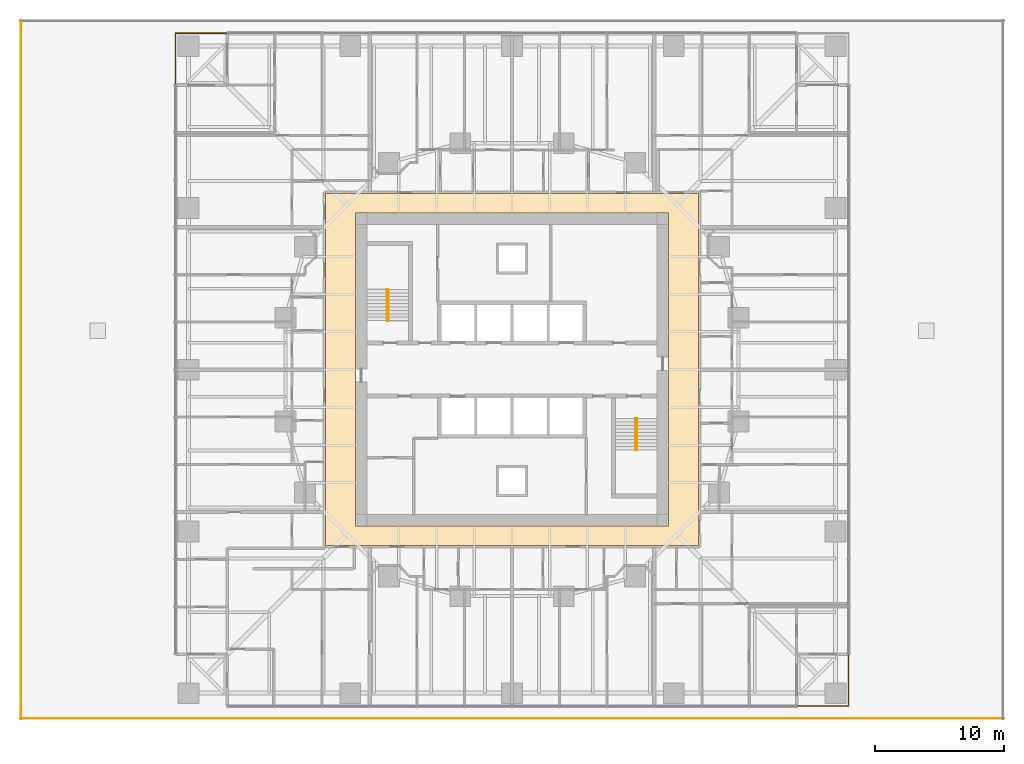
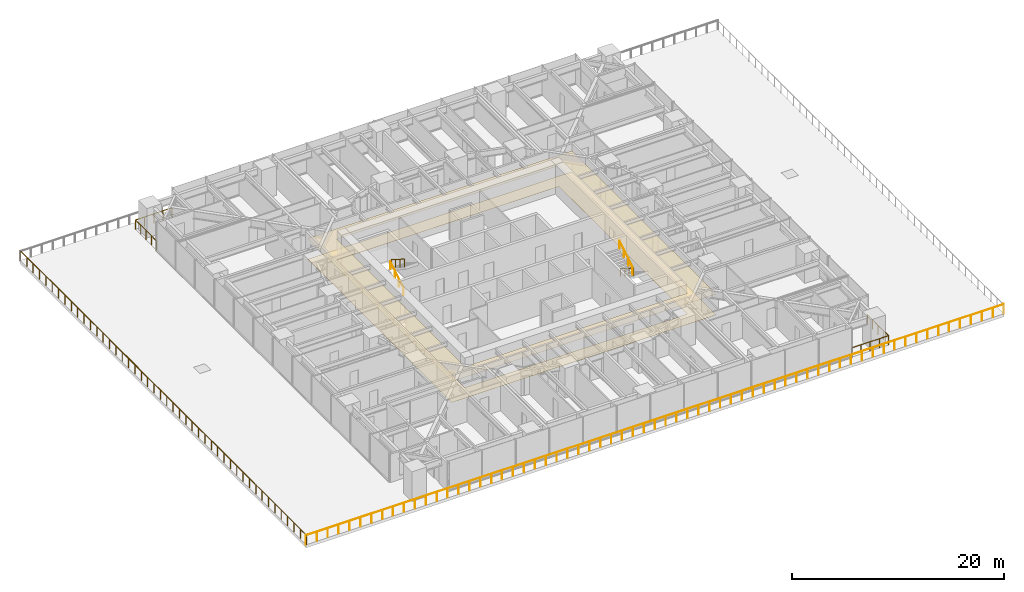
# One storey, part 14 of 15: 8 railings, 2 coverings, 2 elements without a shape of their own.
"""IFC4 building model written with IfcOpenShell, lengths in metres."""

from ifc_helpers import new_model, si_unit, direction, frame, origin, origin_2d, place, context, subcontext, project, spatial, polyline, circle, outline, extrude, material, layer, layer_set, type_object, element, aggregate, save


model = new_model("IFC4")

# Units and contexts
model_context = context("Model", 3, precision=1e-05, world=origin(), true_north=direction((0.0, 1.0)))
body_context = subcontext(model_context, "Body", "Model", "MODEL_VIEW")
ifc_project = project(units=[si_unit("LENGTHUNIT", "METRE"), si_unit("AREAUNIT", "SQUARE_METRE"), si_unit("VOLUMEUNIT", "CUBIC_METRE"), si_unit("PLANEANGLEUNIT", "RADIAN"), si_unit("MASSUNIT", "GRAM", prefix="KILO")], contexts=[model_context])

# Site, building, storey
site_placement = place(None, origin())
site = spatial("IfcSite", under=ifc_project, at=site_placement, CompositionType="ELEMENT")
building_placement = place(site_placement, origin())
building = spatial("IfcBuilding", under=site, at=building_placement, Name="Torsade Residences", CompositionType="ELEMENT")
storey_placement = place(building_placement, frame((0.0, 0.0, 15.0)))
storey = spatial("IfcBuildingStorey", under=building, at=storey_placement, Name="L03", CompositionType="ELEMENT", Elevation=15.0)

# Coverings
ifc_material_1 = material(Name="Nylon carpet tile on underlay", Category="textile")
ifc_layer_1 = layer(ifc_material_1, 0.010009765625)
ifc_layer_set_1 = layer_set([ifc_layer_1], Name="Nylon carpet tile on underlay")
covering_type_1 = type_object("IfcCoveringType", Name="CORRIDOR CARPET TILE 10", PredefinedType="FLOORING", material=ifc_layer_set_1)
covering_1_placement = place(storey_placement, origin())
element("IfcCovering", 1, at=covering_1_placement, inside=storey, type_object=covering_type_1, Name="Corridor carpet L03", PredefinedType="FLOORING", context=body_context, shape_type="SweptSolid", body=[
    extrude(outline(polyline([(54.39990234375, 16.39990234375), (54.39990234375, 43.60009765625), (25.60009765625, 43.60009765625), (25.60009765625, 16.39990234375), (54.39990234375, 16.39990234375)]), holes=[polyline([(52.10009765625, 42.10009765625), (27.89990234375, 42.10009765625), (27.89990234375, 17.89990234375), (52.10009765625, 17.89990234375), (52.10009765625, 42.10009765625)])]), origin(), (0.0, 0.0, 1.0), 0.010009765625),
])
ifc_material_2 = material(Name="Plasterboard on suspended steel grid", Category="steel")
ifc_layer_2 = layer(ifc_material_2, 0.012939453125)
ifc_layer_set_2 = layer_set([ifc_layer_2], Name="Plasterboard on suspended steel grid")
covering_type_2 = type_object("IfcCoveringType", Name="CORRIDOR SUSPENDED CEILING 13", PredefinedType="CEILING", material=ifc_layer_set_2)
covering_2_placement = place(storey_placement, frame((0.0, 0.0, 2.39990234375)))
element("IfcCovering", 2, at=covering_2_placement, inside=storey, type_object=covering_type_2, Name="Corridor ceiling L03", PredefinedType="CEILING", context=body_context, shape_type="SweptSolid", body=[
    extrude(outline(polyline([(54.39990234375, 16.39990234375), (54.39990234375, 43.60009765625), (25.60009765625, 43.60009765625), (25.60009765625, 16.39990234375), (54.39990234375, 16.39990234375)]), holes=[polyline([(52.10009765625, 42.10009765625), (27.89990234375, 42.10009765625), (27.89990234375, 17.89990234375), (52.10009765625, 17.89990234375), (52.10009765625, 42.10009765625)])]), origin(), (0.0, 0.0, 1.0), 0.01318359375),
])

# Railings
ifc_material_3 = material(Name="Galvanised steel guard rail", Category="steel")
railing_type_1 = type_object("IfcRailingType", Name="ROOF EDGE GUARD 1100", PredefinedType="GUARDRAIL", material=ifc_material_3)
railing_1_placement = place(storey_placement, frame((2.0, 3.050048828125, 0.0)))
element("IfcRailing", 3, at=railing_1_placement, inside=storey, type_object=railing_type_1, Name="Roof edge guard L03 S", PredefinedType="GUARDRAIL", context=body_context, shape_type="SweptSolid", body=[
    extrude(circle(Radius=0.02392578125, at=origin_2d()), frame((0.0, 0.0, 1.076171875), z_axis=(1.0, 0.0, 0.0), x_axis=(0.0, 1.0, 0.0)), (0.0, 0.0, 1.0), 76.0),
    extrude(circle(Radius=0.02099609375, at=origin_2d()), origin(), (0.0, 0.0, 1.0), 1.052001953125),
    extrude(circle(Radius=0.02099609375, at=origin_2d()), frame((1.1875, 0.0, 0.0)), (0.0, 0.0, 1.0), 1.052001953125),
    extrude(circle(Radius=0.02099609375, at=origin_2d()), frame((2.375, 0.0, 0.0)), (0.0, 0.0, 1.0), 1.052001953125),
    extrude(circle(Radius=0.02099609375, at=origin_2d()), frame((3.5625, 0.0, 0.0)), (0.0, 0.0, 1.0), 1.052001953125),
    extrude(circle(Radius=0.02099609375, at=origin_2d()), frame((4.75, 0.0, 0.0)), (0.0, 0.0, 1.0), 1.052001953125),
    extrude(circle(Radius=0.02099609375, at=origin_2d()), frame((5.9375, 0.0, 0.0)), (0.0, 0.0, 1.0), 1.052001953125),
    extrude(circle(Radius=0.02099609375, at=origin_2d()), frame((7.125, 0.0, 0.0)), (0.0, 0.0, 1.0), 1.052001953125),
    extrude(circle(Radius=0.02099609375, at=origin_2d()), frame((8.3125, 0.0, 0.0)), (0.0, 0.0, 1.0), 1.052001953125),
    extrude(circle(Radius=0.02099609375, at=origin_2d()), frame((9.5, 0.0, 0.0)), (0.0, 0.0, 1.0), 1.052001953125),
    extrude(circle(Radius=0.02099609375, at=origin_2d()), frame((10.6875, 0.0, 0.0)), (0.0, 0.0, 1.0), 1.052001953125),
    extrude(circle(Radius=0.02099609375, at=origin_2d()), frame((11.875, 0.0, 0.0)), (0.0, 0.0, 1.0), 1.052001953125),
    extrude(circle(Radius=0.02099609375, at=origin_2d()), frame((13.0625, 0.0, 0.0)), (0.0, 0.0, 1.0), 1.052001953125),
    extrude(circle(Radius=0.02099609375, at=origin_2d()), frame((14.25, 0.0, 0.0)), (0.0, 0.0, 1.0), 1.052001953125),
    extrude(circle(Radius=0.02099609375, at=origin_2d()), frame((15.4375, 0.0, 0.0)), (0.0, 0.0, 1.0), 1.052001953125),
    extrude(circle(Radius=0.02099609375, at=origin_2d()), frame((16.625, 0.0, 0.0)), (0.0, 0.0, 1.0), 1.052001953125),
    extrude(circle(Radius=0.02099609375, at=origin_2d()), frame((17.8125, 0.0, 0.0)), (0.0, 0.0, 1.0), 1.052001953125),
    extrude(circle(Radius=0.02099609375, at=origin_2d()), frame((19.0, 0.0, 0.0)), (0.0, 0.0, 1.0), 1.052001953125),
    extrude(circle(Radius=0.02099609375, at=origin_2d()), frame((20.1875, 0.0, 0.0)), (0.0, 0.0, 1.0), 1.052001953125),
    extrude(circle(Radius=0.02099609375, at=origin_2d()), frame((21.375, 0.0, 0.0)), (0.0, 0.0, 1.0), 1.052001953125),
    extrude(circle(Radius=0.02099609375, at=origin_2d()), frame((22.5625, 0.0, 0.0)), (0.0, 0.0, 1.0), 1.052001953125),
    extrude(circle(Radius=0.02099609375, at=origin_2d()), frame((23.75, 0.0, 0.0)), (0.0, 0.0, 1.0), 1.052001953125),
    extrude(circle(Radius=0.02099609375, at=origin_2d()), frame((24.9375, 0.0, 0.0)), (0.0, 0.0, 1.0), 1.052001953125),
    extrude(circle(Radius=0.02099609375, at=origin_2d()), frame((26.125, 0.0, 0.0)), (0.0, 0.0, 1.0), 1.052001953125),
    extrude(circle(Radius=0.02099609375, at=origin_2d()), frame((27.3125, 0.0, 0.0)), (0.0, 0.0, 1.0), 1.052001953125),
    extrude(circle(Radius=0.02099609375, at=origin_2d()), frame((28.5, 0.0, 0.0)), (0.0, 0.0, 1.0), 1.052001953125),
    extrude(circle(Radius=0.02099609375, at=origin_2d()), frame((29.6875, 0.0, 0.0)), (0.0, 0.0, 1.0), 1.052001953125),
    extrude(circle(Radius=0.02099609375, at=origin_2d()), frame((30.875, 0.0, 0.0)), (0.0, 0.0, 1.0), 1.052001953125),
    extrude(circle(Radius=0.02099609375, at=origin_2d()), frame((32.0625, 0.0, 0.0)), (0.0, 0.0, 1.0), 1.052001953125),
    extrude(circle(Radius=0.02099609375, at=origin_2d()), frame((33.25, 0.0, 0.0)), (0.0, 0.0, 1.0), 1.052001953125),
    extrude(circle(Radius=0.02099609375, at=origin_2d()), frame((34.4375, 0.0, 0.0)), (0.0, 0.0, 1.0), 1.052001953125),
    extrude(circle(Radius=0.02099609375, at=origin_2d()), frame((35.625, 0.0, 0.0)), (0.0, 0.0, 1.0), 1.052001953125),
    extrude(circle(Radius=0.02099609375, at=origin_2d()), frame((36.8125, 0.0, 0.0)), (0.0, 0.0, 1.0), 1.052001953125),
    extrude(circle(Radius=0.02099609375, at=origin_2d()), frame((38.0, 0.0, 0.0)), (0.0, 0.0, 1.0), 1.052001953125),
    extrude(circle(Radius=0.02099609375, at=origin_2d()), frame((39.1875, 0.0, 0.0)), (0.0, 0.0, 1.0), 1.052001953125),
    extrude(circle(Radius=0.02099609375, at=origin_2d()), frame((40.375, 0.0, 0.0)), (0.0, 0.0, 1.0), 1.052001953125),
    extrude(circle(Radius=0.02099609375, at=origin_2d()), frame((41.5625, 0.0, 0.0)), (0.0, 0.0, 1.0), 1.052001953125),
    extrude(circle(Radius=0.02099609375, at=origin_2d()), frame((42.75, 0.0, 0.0)), (0.0, 0.0, 1.0), 1.052001953125),
    extrude(circle(Radius=0.02099609375, at=origin_2d()), frame((43.9375, 0.0, 0.0)), (0.0, 0.0, 1.0), 1.052001953125),
    extrude(circle(Radius=0.02099609375, at=origin_2d()), frame((45.125, 0.0, 0.0)), (0.0, 0.0, 1.0), 1.052001953125),
    extrude(circle(Radius=0.02099609375, at=origin_2d()), frame((46.3125, 0.0, 0.0)), (0.0, 0.0, 1.0), 1.052001953125),
    extrude(circle(Radius=0.02099609375, at=origin_2d()), frame((47.5, 0.0, 0.0)), (0.0, 0.0, 1.0), 1.052001953125),
    extrude(circle(Radius=0.02099609375, at=origin_2d()), frame((48.6875, 0.0, 0.0)), (0.0, 0.0, 1.0), 1.052001953125),
    extrude(circle(Radius=0.02099609375, at=origin_2d()), frame((49.875, 0.0, 0.0)), (0.0, 0.0, 1.0), 1.052001953125),
    extrude(circle(Radius=0.02099609375, at=origin_2d()), frame((51.0625, 0.0, 0.0)), (0.0, 0.0, 1.0), 1.052001953125),
    extrude(circle(Radius=0.02099609375, at=origin_2d()), frame((52.25, 0.0, 0.0)), (0.0, 0.0, 1.0), 1.052001953125),
    extrude(circle(Radius=0.02099609375, at=origin_2d()), frame((53.4375, 0.0, 0.0)), (0.0, 0.0, 1.0), 1.052001953125),
    extrude(circle(Radius=0.02099609375, at=origin_2d()), frame((54.625, 0.0, 0.0)), (0.0, 0.0, 1.0), 1.052001953125),
    extrude(circle(Radius=0.02099609375, at=origin_2d()), frame((55.8125, 0.0, 0.0)), (0.0, 0.0, 1.0), 1.052001953125),
    extrude(circle(Radius=0.02099609375, at=origin_2d()), frame((57.0, 0.0, 0.0)), (0.0, 0.0, 1.0), 1.052001953125),
    extrude(circle(Radius=0.02099609375, at=origin_2d()), frame((58.1875, 0.0, 0.0)), (0.0, 0.0, 1.0), 1.052001953125),
    extrude(circle(Radius=0.02099609375, at=origin_2d()), frame((59.375, 0.0, 0.0)), (0.0, 0.0, 1.0), 1.052001953125),
    extrude(circle(Radius=0.02099609375, at=origin_2d()), frame((60.5625, 0.0, 0.0)), (0.0, 0.0, 1.0), 1.052001953125),
    extrude(circle(Radius=0.02099609375, at=origin_2d()), frame((61.75, 0.0, 0.0)), (0.0, 0.0, 1.0), 1.052001953125),
    extrude(circle(Radius=0.02099609375, at=origin_2d()), frame((62.9375, 0.0, 0.0)), (0.0, 0.0, 1.0), 1.052001953125),
    extrude(circle(Radius=0.02099609375, at=origin_2d()), frame((64.125, 0.0, 0.0)), (0.0, 0.0, 1.0), 1.052001953125),
    extrude(circle(Radius=0.02099609375, at=origin_2d()), frame((65.3125, 0.0, 0.0)), (0.0, 0.0, 1.0), 1.052001953125),
    extrude(circle(Radius=0.02099609375, at=origin_2d()), frame((66.5, 0.0, 0.0)), (0.0, 0.0, 1.0), 1.052001953125),
    extrude(circle(Radius=0.02099609375, at=origin_2d()), frame((67.6875, 0.0, 0.0)), (0.0, 0.0, 1.0), 1.052001953125),
    extrude(circle(Radius=0.02099609375, at=origin_2d()), frame((68.875, 0.0, 0.0)), (0.0, 0.0, 1.0), 1.052001953125),
    extrude(circle(Radius=0.02099609375, at=origin_2d()), frame((70.0625, 0.0, 0.0)), (0.0, 0.0, 1.0), 1.052001953125),
    extrude(circle(Radius=0.02099609375, at=origin_2d()), frame((71.25, 0.0, 0.0)), (0.0, 0.0, 1.0), 1.052001953125),
    extrude(circle(Radius=0.02099609375, at=origin_2d()), frame((72.4375, 0.0, 0.0)), (0.0, 0.0, 1.0), 1.052001953125),
    extrude(circle(Radius=0.02099609375, at=origin_2d()), frame((73.625, 0.0, 0.0)), (0.0, 0.0, 1.0), 1.052001953125),
    extrude(circle(Radius=0.02099609375, at=origin_2d()), frame((74.8125, 0.0, 0.0)), (0.0, 0.0, 1.0), 1.052001953125),
    extrude(circle(Radius=0.02099609375, at=origin_2d()), frame((76.0, 0.0, 0.0)), (0.0, 0.0, 1.0), 1.052001953125),
])
railing_2_placement = place(storey_placement, frame((2.050048828125, 57.0, 0.0)))
element("IfcRailing", 4, at=railing_2_placement, inside=storey, type_object=railing_type_1, Name="Roof edge guard L03 W", PredefinedType="GUARDRAIL", context=body_context, shape_type="SweptSolid", body=[
    extrude(circle(Radius=0.02392578125, at=origin_2d()), frame((0.0, 0.0, 1.076171875), z_axis=(0.0, -1.0, 0.0), x_axis=(1.0, 0.0, 0.0)), (0.0, 0.0, 1.0), 54.0),
    extrude(circle(Radius=0.02099609375, at=origin_2d()), origin(), (0.0, 0.0, 1.0), 1.052001953125),
    extrude(circle(Radius=0.02099609375, at=origin_2d()), frame((0.0, -1.199951171875, 0.0)), (0.0, 0.0, 1.0), 1.052001953125),
    extrude(circle(Radius=0.02099609375, at=origin_2d()), frame((0.0, -2.39990234375, 0.0)), (0.0, 0.0, 1.0), 1.052001953125),
    extrude(circle(Radius=0.02099609375, at=origin_2d()), frame((0.0, -3.60009765625, 0.0)), (0.0, 0.0, 1.0), 1.052001953125),
    extrude(circle(Radius=0.02099609375, at=origin_2d()), frame((0.0, -4.800048828125, 0.0)), (0.0, 0.0, 1.0), 1.052001953125),
    extrude(circle(Radius=0.02099609375, at=origin_2d()), frame((0.0, -6.0, 0.0)), (0.0, 0.0, 1.0), 1.052001953125),
    extrude(circle(Radius=0.02099609375, at=origin_2d()), frame((0.0, -7.199951171875, 0.0)), (0.0, 0.0, 1.0), 1.052001953125),
    extrude(circle(Radius=0.02099609375, at=origin_2d()), frame((0.0, -8.39990234375, 0.0)), (0.0, 0.0, 1.0), 1.052001953125),
    extrude(circle(Radius=0.02099609375, at=origin_2d()), frame((0.0, -9.60009765625, 0.0)), (0.0, 0.0, 1.0), 1.052001953125),
    extrude(circle(Radius=0.02099609375, at=origin_2d()), frame((0.0, -10.800048828125, 0.0)), (0.0, 0.0, 1.0), 1.052001953125),
    extrude(circle(Radius=0.02099609375, at=origin_2d()), frame((0.0, -12.0, 0.0)), (0.0, 0.0, 1.0), 1.052001953125),
    extrude(circle(Radius=0.02099609375, at=origin_2d()), frame((0.0, -13.199951171875, 0.0)), (0.0, 0.0, 1.0), 1.052001953125),
    extrude(circle(Radius=0.02099609375, at=origin_2d()), frame((0.0, -14.39990234375, 0.0)), (0.0, 0.0, 1.0), 1.052001953125),
    extrude(circle(Radius=0.02099609375, at=origin_2d()), frame((0.0, -15.60009765625, 0.0)), (0.0, 0.0, 1.0), 1.052001953125),
    extrude(circle(Radius=0.02099609375, at=origin_2d()), frame((0.0, -16.800048828125, 0.0)), (0.0, 0.0, 1.0), 1.052001953125),
    extrude(circle(Radius=0.02099609375, at=origin_2d()), frame((0.0, -18.0, 0.0)), (0.0, 0.0, 1.0), 1.052001953125),
    extrude(circle(Radius=0.02099609375, at=origin_2d()), frame((0.0, -19.199951171875, 0.0)), (0.0, 0.0, 1.0), 1.052001953125),
    extrude(circle(Radius=0.02099609375, at=origin_2d()), frame((0.0, -20.39990234375, 0.0)), (0.0, 0.0, 1.0), 1.052001953125),
    extrude(circle(Radius=0.02099609375, at=origin_2d()), frame((0.0, -21.60009765625, 0.0)), (0.0, 0.0, 1.0), 1.052001953125),
    extrude(circle(Radius=0.02099609375, at=origin_2d()), frame((0.0, -22.800048828125, 0.0)), (0.0, 0.0, 1.0), 1.052001953125),
    extrude(circle(Radius=0.02099609375, at=origin_2d()), frame((0.0, -24.0, 0.0)), (0.0, 0.0, 1.0), 1.052001953125),
    extrude(circle(Radius=0.02099609375, at=origin_2d()), frame((0.0, -25.199951171875, 0.0)), (0.0, 0.0, 1.0), 1.052001953125),
    extrude(circle(Radius=0.02099609375, at=origin_2d()), frame((0.0, -26.39990234375, 0.0)), (0.0, 0.0, 1.0), 1.052001953125),
    extrude(circle(Radius=0.02099609375, at=origin_2d()), frame((0.0, -27.60009765625, 0.0)), (0.0, 0.0, 1.0), 1.052001953125),
    extrude(circle(Radius=0.02099609375, at=origin_2d()), frame((0.0, -28.800048828125, 0.0)), (0.0, 0.0, 1.0), 1.052001953125),
    extrude(circle(Radius=0.02099609375, at=origin_2d()), frame((0.0, -30.0, 0.0)), (0.0, 0.0, 1.0), 1.052001953125),
    extrude(circle(Radius=0.02099609375, at=origin_2d()), frame((0.0, -31.199951171875, 0.0)), (0.0, 0.0, 1.0), 1.052001953125),
    extrude(circle(Radius=0.02099609375, at=origin_2d()), frame((0.0, -32.39990234375, 0.0)), (0.0, 0.0, 1.0), 1.052001953125),
    extrude(circle(Radius=0.02099609375, at=origin_2d()), frame((0.0, -33.60009765625, 0.0)), (0.0, 0.0, 1.0), 1.052001953125),
    extrude(circle(Radius=0.02099609375, at=origin_2d()), frame((0.0, -34.800048828125, 0.0)), (0.0, 0.0, 1.0), 1.052001953125),
    extrude(circle(Radius=0.02099609375, at=origin_2d()), frame((0.0, -36.0, 0.0)), (0.0, 0.0, 1.0), 1.052001953125),
    extrude(circle(Radius=0.02099609375, at=origin_2d()), frame((0.0, -37.199951171875, 0.0)), (0.0, 0.0, 1.0), 1.052001953125),
    extrude(circle(Radius=0.02099609375, at=origin_2d()), frame((0.0, -38.39990234375, 0.0)), (0.0, 0.0, 1.0), 1.052001953125),
    extrude(circle(Radius=0.02099609375, at=origin_2d()), frame((0.0, -39.60009765625, 0.0)), (0.0, 0.0, 1.0), 1.052001953125),
    extrude(circle(Radius=0.02099609375, at=origin_2d()), frame((0.0, -40.800048828125, 0.0)), (0.0, 0.0, 1.0), 1.052001953125),
    extrude(circle(Radius=0.02099609375, at=origin_2d()), frame((0.0, -42.0, 0.0)), (0.0, 0.0, 1.0), 1.052001953125),
    extrude(circle(Radius=0.02099609375, at=origin_2d()), frame((0.0, -43.199951171875, 0.0)), (0.0, 0.0, 1.0), 1.052001953125),
    extrude(circle(Radius=0.02099609375, at=origin_2d()), frame((0.0, -44.39990234375, 0.0)), (0.0, 0.0, 1.0), 1.052001953125),
    extrude(circle(Radius=0.02099609375, at=origin_2d()), frame((0.0, -45.60009765625, 0.0)), (0.0, 0.0, 1.0), 1.052001953125),
    extrude(circle(Radius=0.02099609375, at=origin_2d()), frame((0.0, -46.800048828125, 0.0)), (0.0, 0.0, 1.0), 1.052001953125),
    extrude(circle(Radius=0.02099609375, at=origin_2d()), frame((0.0, -48.0, 0.0)), (0.0, 0.0, 1.0), 1.052001953125),
    extrude(circle(Radius=0.02099609375, at=origin_2d()), frame((0.0, -49.199951171875, 0.0)), (0.0, 0.0, 1.0), 1.052001953125),
    extrude(circle(Radius=0.02099609375, at=origin_2d()), frame((0.0, -50.39990234375, 0.0)), (0.0, 0.0, 1.0), 1.052001953125),
    extrude(circle(Radius=0.02099609375, at=origin_2d()), frame((0.0, -51.60009765625, 0.0)), (0.0, 0.0, 1.0), 1.052001953125),
    extrude(circle(Radius=0.02099609375, at=origin_2d()), frame((0.0, -52.800048828125, 0.0)), (0.0, 0.0, 1.0), 1.052001953125),
    extrude(circle(Radius=0.02099609375, at=origin_2d()), frame((0.0, -54.0, 0.0)), (0.0, 0.0, 1.0), 1.052001953125),
])

# Stair, railings
ifc_material_4 = material(Name="Precast concrete 40 MPa", Category="concrete")
stair_type = type_object("IfcStairType", Name="HALF-TURN FIRE STAIR 1500x3400", PredefinedType="HALF_TURN_STAIR", material=ifc_material_4)
stair_1_placement = place(storey_placement, origin())
stair_1 = element("IfcStair", 5, at=stair_1_placement, inside=storey, type_object=stair_type, Name="Stair ST1 L03", PredefinedType="HALF_TURN_STAIR")
ifc_material_5 = material(Name="Steel handrail", Category="steel")
railing_type_2 = type_object("IfcRailingType", Name="STAIR HANDRAIL 900", PredefinedType="HANDRAIL", material=ifc_material_5)
railing_3_placement = place(storey_placement, frame((30.35009765625, 33.780029296875, 0.169921875)))
railing_3 = element("IfcRailing", 6, at=railing_3_placement, type_object=railing_type_2, Name="Handrail ST1 flight 1 L03", PredefinedType="HANDRAIL", context=body_context, shape_type="SweptSolid", body=[
    extrude(circle(Radius=0.02392578125, at=origin_2d()), frame((0.0, 0.0, 0.8759765625), z_axis=(0.0, 0.846221481393, 0.532831309544), x_axis=(-1.0, 0.0, 0.0)), (0.0, 0.0, 1.0), 2.87158203125),
    extrude(circle(Radius=0.02099609375, at=origin_2d()), origin(), (0.0, 0.0, 1.0), 0.851806640625),
    extrude(circle(Radius=0.02099609375, at=origin_2d()), frame((0.0, 0.81005859375, 0.510009765625)), (0.0, 0.0, 1.0), 0.851806640625),
    extrude(circle(Radius=0.02099609375, at=origin_2d()), frame((0.0, 1.619873046875, 1.02001953125)), (0.0, 0.0, 1.0), 0.851806640625),
    extrude(circle(Radius=0.02099609375, at=origin_2d()), frame((0.0, 2.429931640625, 1.530029296875)), (0.0, 0.0, 1.0), 0.851806640625),
])
railing_4_placement = place(storey_placement, frame((30.449951171875, 36.2099609375, 1.8701171875)))
railing_4 = element("IfcRailing", 7, at=railing_4_placement, type_object=railing_type_2, Name="Handrail ST1 flight 2 L03", PredefinedType="HANDRAIL", context=body_context, shape_type="SweptSolid", body=[
    extrude(circle(Radius=0.02392578125, at=origin_2d()), frame((0.0, 0.0, 0.8759765625), z_axis=(0.0, -0.846259816676, 0.532770422113), x_axis=(1.0, 0.0, 0.0)), (0.0, 0.0, 1.0), 2.871337890625),
    extrude(circle(Radius=0.02099609375, at=origin_2d()), origin(), (0.0, 0.0, 1.0), 0.851806640625),
    extrude(circle(Radius=0.02099609375, at=origin_2d()), frame((0.0, -0.81005859375, 0.510009765625)), (0.0, 0.0, 1.0), 0.851806640625),
    extrude(circle(Radius=0.02099609375, at=origin_2d()), frame((0.0, -1.619873046875, 1.019775390625)), (0.0, 0.0, 1.0), 0.851806640625),
    extrude(circle(Radius=0.02099609375, at=origin_2d()), frame((0.0, -2.429931640625, 1.52978515625)), (0.0, 0.0, 1.0), 0.851806640625),
])
aggregate(stair_1, [railing_3, railing_4])

stair_2_placement = place(storey_placement, origin())
stair_2 = element("IfcStair", 8, at=stair_2_placement, inside=storey, type_object=stair_type, Name="Stair ST2 L03", PredefinedType="HALF_TURN_STAIR")
railing_5_placement = place(storey_placement, frame((49.64990234375, 26.219970703125, 0.169921875)))
railing_5 = element("IfcRailing", 9, at=railing_5_placement, type_object=railing_type_2, Name="Handrail ST2 flight 1 L03", PredefinedType="HANDRAIL", context=body_context, shape_type="SweptSolid", body=[
    extrude(circle(Radius=0.02392578125, at=origin_2d()), frame((0.0, 0.0, 0.8759765625), z_axis=(0.0, -0.846221481393, 0.532831309544), x_axis=(1.0, 0.0, 0.0)), (0.0, 0.0, 1.0), 2.87158203125),
    extrude(circle(Radius=0.02099609375, at=origin_2d()), origin(), (0.0, 0.0, 1.0), 0.851806640625),
    extrude(circle(Radius=0.02099609375, at=origin_2d()), frame((0.0, -0.81005859375, 0.510009765625)), (0.0, 0.0, 1.0), 0.851806640625),
    extrude(circle(Radius=0.02099609375, at=origin_2d()), frame((0.0, -1.619873046875, 1.02001953125)), (0.0, 0.0, 1.0), 0.851806640625),
    extrude(circle(Radius=0.02099609375, at=origin_2d()), frame((0.0, -2.429931640625, 1.530029296875)), (0.0, 0.0, 1.0), 0.851806640625),
])
railing_6_placement = place(storey_placement, frame((49.550048828125, 23.7900390625, 1.8701171875)))
railing_6 = element("IfcRailing", 10, at=railing_6_placement, type_object=railing_type_2, Name="Handrail ST2 flight 2 L03", PredefinedType="HANDRAIL", context=body_context, shape_type="SweptSolid", body=[
    extrude(circle(Radius=0.02392578125, at=origin_2d()), frame((0.0, 0.0, 0.8759765625), z_axis=(0.0, 0.846259816676, 0.532770422113), x_axis=(-1.0, 0.0, 0.0)), (0.0, 0.0, 1.0), 2.871337890625),
    extrude(circle(Radius=0.02099609375, at=origin_2d()), origin(), (0.0, 0.0, 1.0), 0.851806640625),
    extrude(circle(Radius=0.02099609375, at=origin_2d()), frame((0.0, 0.81005859375, 0.510009765625)), (0.0, 0.0, 1.0), 0.851806640625),
    extrude(circle(Radius=0.02099609375, at=origin_2d()), frame((0.0, 1.619873046875, 1.019775390625)), (0.0, 0.0, 1.0), 0.851806640625),
    extrude(circle(Radius=0.02099609375, at=origin_2d()), frame((0.0, 2.429931640625, 1.52978515625)), (0.0, 0.0, 1.0), 0.851806640625),
])
aggregate(stair_2, [railing_5, railing_6])

# Railings
ifc_material_6 = material(Name="Laminated glass balustrade", Category="glass")
railing_type_3 = type_object("IfcRailingType", Name="TERRACE GLASS BALUSTRADE 1100", PredefinedType="BALUSTRADE", material=ifc_material_6)
railing_7_placement = place(storey_placement, frame((62.0, 4.0, 0.0)))
element("IfcRailing", 11, at=railing_7_placement, inside=storey, type_object=railing_type_3, Name="Terrace balustrade SE L03", PredefinedType="BALUSTRADE", context=body_context, shape_type="SweptSolid", body=[
    extrude(circle(Radius=0.02392578125, at=origin_2d()), frame((0.0, 0.0, 1.076171875), z_axis=(1.0, 0.0, 0.0), x_axis=(0.0, 1.0, 0.0)), (0.0, 0.0, 1.0), 4.0),
    extrude(circle(Radius=0.02392578125, at=origin_2d()), frame((4.0, 0.0, 1.076171875), z_axis=(0.0, 1.0, 0.0), x_axis=(-1.0, 0.0, 0.0)), (0.0, 0.0, 1.0), 4.0),
    extrude(circle(Radius=0.02099609375, at=origin_2d()), origin(), (0.0, 0.0, 1.0), 1.052001953125),
    extrude(circle(Radius=0.02099609375, at=origin_2d()), frame((1.0, 0.0, 0.0)), (0.0, 0.0, 1.0), 1.052001953125),
    extrude(circle(Radius=0.02099609375, at=origin_2d()), frame((2.0, 0.0, 0.0)), (0.0, 0.0, 1.0), 1.052001953125),
    extrude(circle(Radius=0.02099609375, at=origin_2d()), frame((3.0, 0.0, 0.0)), (0.0, 0.0, 1.0), 1.052001953125),
    extrude(circle(Radius=0.02099609375, at=origin_2d()), frame((4.0, 0.0, 0.0)), (0.0, 0.0, 1.0), 1.052001953125),
    extrude(circle(Radius=0.02099609375, at=origin_2d()), frame((4.0, 1.0, 0.0)), (0.0, 0.0, 1.0), 1.052001953125),
    extrude(circle(Radius=0.02099609375, at=origin_2d()), frame((4.0, 2.0, 0.0)), (0.0, 0.0, 1.0), 1.052001953125),
    extrude(circle(Radius=0.02099609375, at=origin_2d()), frame((4.0, 3.0, 0.0)), (0.0, 0.0, 1.0), 1.052001953125),
    extrude(circle(Radius=0.02099609375, at=origin_2d()), frame((4.0, 4.0, 0.0)), (0.0, 0.0, 1.0), 1.052001953125),
])
railing_8_placement = place(storey_placement, frame((18.0, 56.0, 0.0)))
element("IfcRailing", 12, at=railing_8_placement, inside=storey, type_object=railing_type_3, Name="Terrace balustrade NW L03", PredefinedType="BALUSTRADE", context=body_context, shape_type="SweptSolid", body=[
    extrude(circle(Radius=0.02392578125, at=origin_2d()), frame((0.0, 0.0, 1.076171875), z_axis=(-1.0, 0.0, 0.0), x_axis=(0.0, -1.0, 0.0)), (0.0, 0.0, 1.0), 4.0),
    extrude(circle(Radius=0.02392578125, at=origin_2d()), frame((-4.0, 0.0, 1.076171875), z_axis=(0.0, -1.0, 0.0), x_axis=(1.0, 0.0, 0.0)), (0.0, 0.0, 1.0), 4.0),
    extrude(circle(Radius=0.02099609375, at=origin_2d()), origin(), (0.0, 0.0, 1.0), 1.052001953125),
    extrude(circle(Radius=0.02099609375, at=origin_2d()), frame((-1.0, 0.0, 0.0)), (0.0, 0.0, 1.0), 1.052001953125),
    extrude(circle(Radius=0.02099609375, at=origin_2d()), frame((-2.0, 0.0, 0.0)), (0.0, 0.0, 1.0), 1.052001953125),
    extrude(circle(Radius=0.02099609375, at=origin_2d()), frame((-3.0, 0.0, 0.0)), (0.0, 0.0, 1.0), 1.052001953125),
    extrude(circle(Radius=0.02099609375, at=origin_2d()), frame((-4.0, 0.0, 0.0)), (0.0, 0.0, 1.0), 1.052001953125),
    extrude(circle(Radius=0.02099609375, at=origin_2d()), frame((-4.0, -1.0, 0.0)), (0.0, 0.0, 1.0), 1.052001953125),
    extrude(circle(Radius=0.02099609375, at=origin_2d()), frame((-4.0, -2.0, 0.0)), (0.0, 0.0, 1.0), 1.052001953125),
    extrude(circle(Radius=0.02099609375, at=origin_2d()), frame((-4.0, -3.0, 0.0)), (0.0, 0.0, 1.0), 1.052001953125),
    extrude(circle(Radius=0.02099609375, at=origin_2d()), frame((-4.0, -4.0, 0.0)), (0.0, 0.0, 1.0), 1.052001953125),
])

save(model, "model.ifc")
